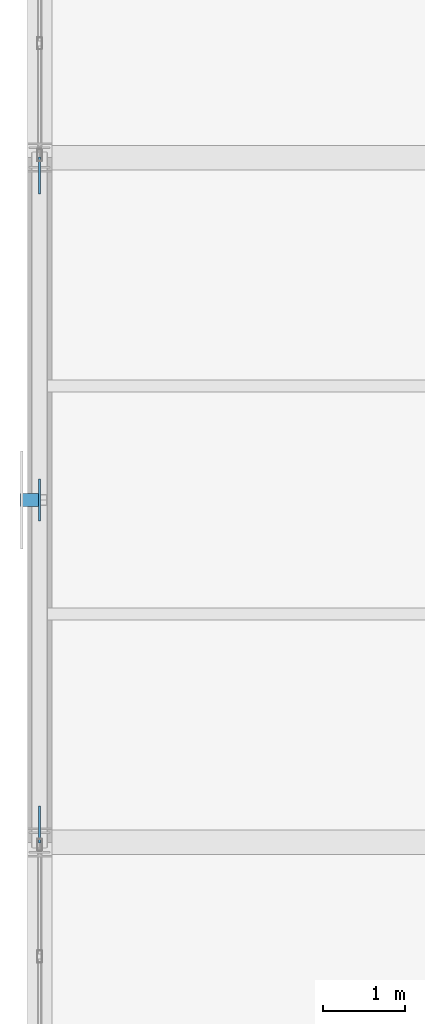
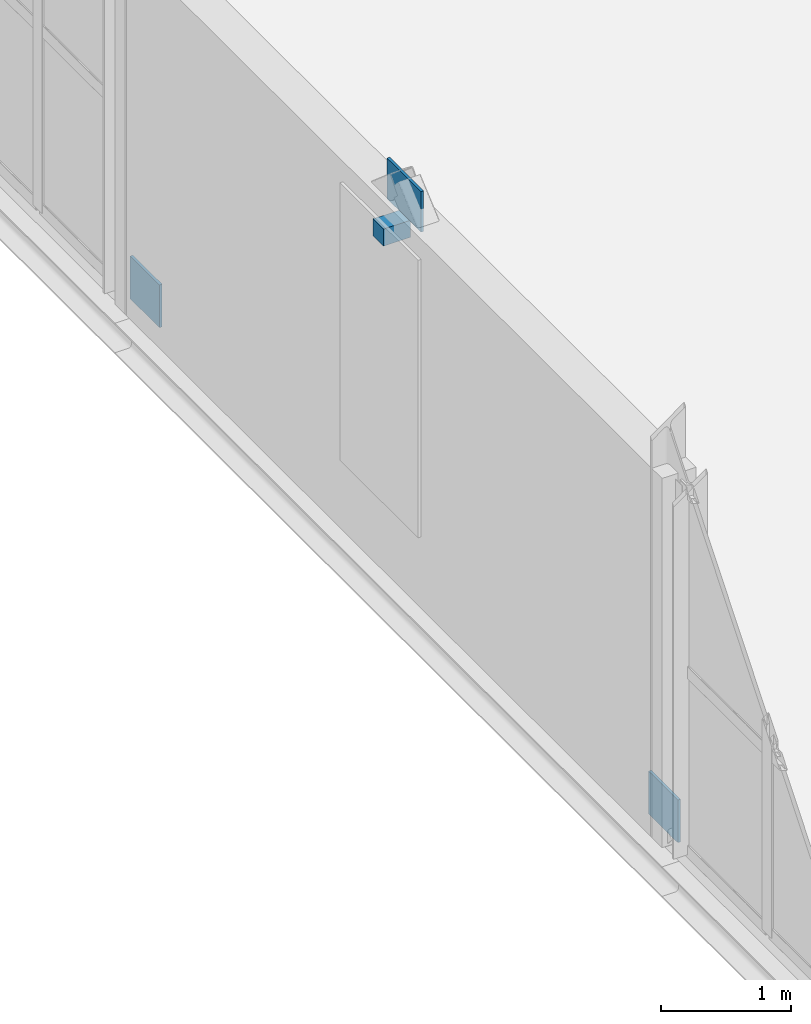
# One storey, part 167 of 184: 4 discrete accessories.
"""IFC4 building model written with IfcOpenShell, lengths in metres."""

from ifc_helpers import new_model, si_unit, direction, frame, origin, origin_2d, place, context, subcontext, project, spatial, rectangle, extrude, material, type_object, element, save


model = new_model("IFC4")

# Units and contexts
model_context = context("Model", 3, precision=1e-05, world=origin(), true_north=direction((0.0, 1.0)))
body_context = subcontext(model_context, "Body", "Model", "MODEL_VIEW")
ifc_project = project(units=[si_unit("LENGTHUNIT", "METRE"), si_unit("AREAUNIT", "SQUARE_METRE"), si_unit("VOLUMEUNIT", "CUBIC_METRE"), si_unit("PLANEANGLEUNIT", "RADIAN"), si_unit("MASSUNIT", "GRAM", prefix="KILO")], contexts=[model_context])

# Site, building, storey
site_placement = place(None, origin())
site = spatial("IfcSite", under=ifc_project, at=site_placement, CompositionType="ELEMENT")
building_placement = place(site_placement, origin())
building = spatial("IfcBuilding", under=site, at=building_placement, Name="Qalvenar Corner Mobility Hub", CompositionType="ELEMENT")
storey_placement = place(building_placement, frame((0.0, 0.0, 9.0)))
storey = spatial("IfcBuildingStorey", under=building, at=storey_placement, Name="L02", CompositionType="ELEMENT", Elevation=9.0)

# Discrete accessories
ifc_material = material(Name="Steel S355", Category="steel")
discrete_accessory_type_1 = type_object("IfcDiscreteAccessoryType", Name="ACC-GUSSET-PLT", PredefinedType="BRACKET", material=ifc_material)
discrete_accessory_1_placement = place(storey_placement, frame((0.0, 71.39990234375, 3.330078125), z_axis=(0.0, 0.0, 1.0), x_axis=(0.0, 1.0, 0.0)))
element("IfcDiscreteAccessory", 1, at=discrete_accessory_1_placement, inside=storey, type_object=discrete_accessory_type_1, Name="Chevron Apex Gusset Plate GP-A-076", PredefinedType="BRACKET", context=body_context, shape_type="SweptSolid", body=[
    extrude(rectangle(XDim=0.52001953125, YDim=0.02490234375, at=origin_2d()), origin(), (0.0, 0.0, 1.0), 0.3798828125),
])
for number, where, z_axis, x_axis, name in (
    (2, (0.0, 67.419921875, 0.0), (0.0, 0.0, 1.0), (0.0, 1.0, 0.0), "Brace Base Gusset Plate GP-B-077"),
    (3, (0.0, 75.3798828125, 0.0), (0.0, 0.0, 1.0), (0.0, 1.0, 0.0), "Brace Base Gusset Plate GP-B-078"),
):
    element("IfcDiscreteAccessory", number, at=place(storey_placement, frame(where, z_axis=z_axis, x_axis=x_axis)), inside=storey, type_object=discrete_accessory_type_1, Name=name, PredefinedType="BRACKET", context=body_context, shape_type="SweptSolid", body=[
        extrude(rectangle(XDim=0.449951171875, YDim=0.02490234375, at=origin_2d()), origin(), (0.0, 0.0, 1.0), 0.39990234375),
    ])
discrete_accessory_type_2 = type_object("IfcDiscreteAccessoryType", Name="ACC-HINGE-BRK", PredefinedType="BRACKET", material=ifc_material)
discrete_accessory_2_placement = place(storey_placement, frame((-0.1201171875, 71.39990234375, 3.169921875), z_axis=(0.0, 0.0, 1.0), x_axis=(0.0, 1.0, 0.0)))
element("IfcDiscreteAccessory", 4, at=discrete_accessory_2_placement, inside=storey, type_object=discrete_accessory_type_2, Name="Cycle Screen Bracket BKV5-L02-3", PredefinedType="BRACKET", context=body_context, shape_type="SweptSolid", body=[
    extrude(rectangle(XDim=0.159912109375, YDim=0.239990234375, at=origin_2d()), origin(), (0.0, 0.0, 1.0), 0.159912109375),
])

save(model, "model.ifc")
